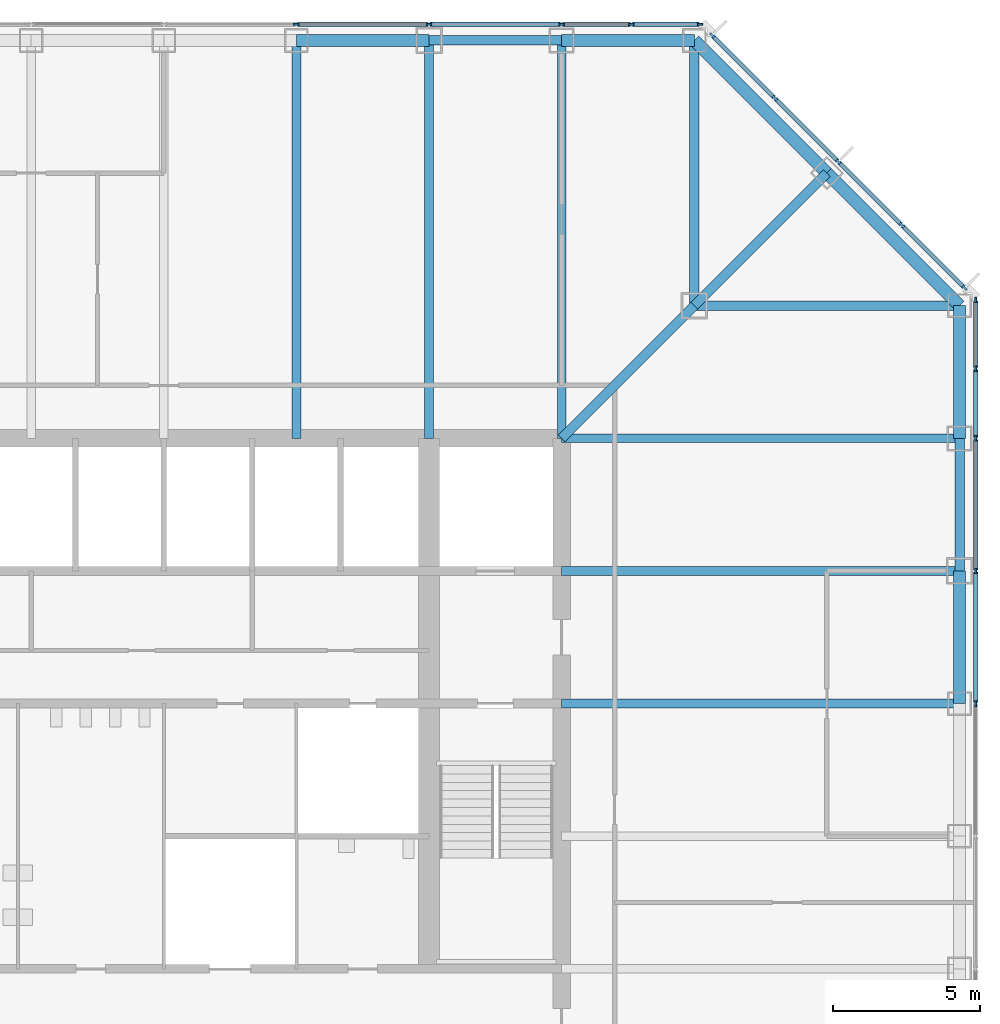
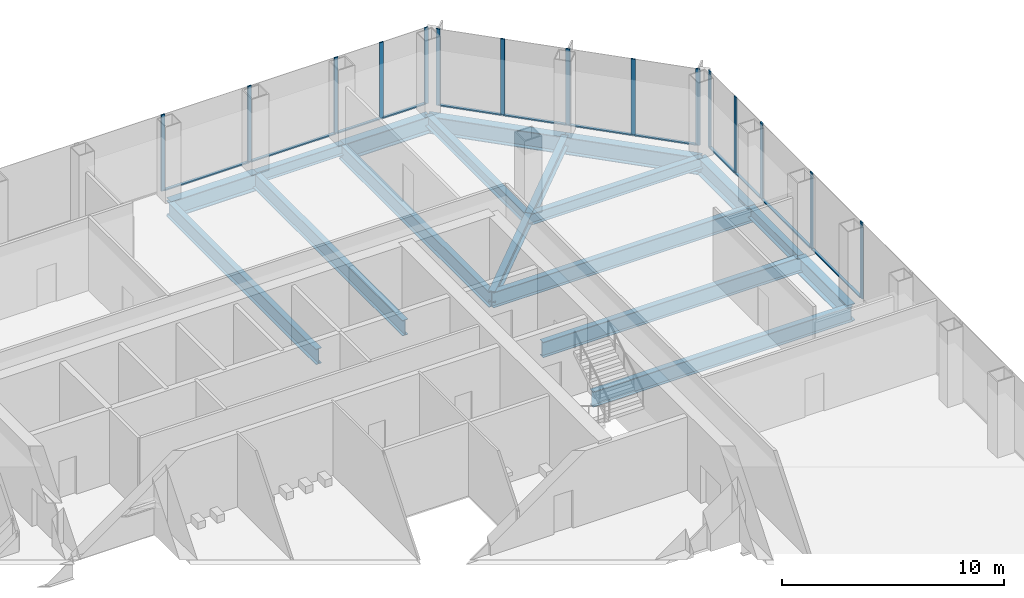
# One storey, part 6 of 13: 27 members, 18 beams, 3 elements without a shape of their own.
"""IFC4 building model written with IfcOpenShell, lengths in metres."""

import ifcopenshell
import ifcopenshell.guid

model = None  # the IFC model being written
_history = None  # IfcOwnerHistory: only IFC2X3 demands one
_inside = {}  # id of a spatial element -> (the spatial element, [elements in it])
_under = {}  # id of a project, library or spatial element -> (it, [spatial elements below it])
_declared = {}  # id of a project -> (the project, [libraries it declares])
_typed = {}  # id of a type object -> (the type object, [elements of that type])
_made_of = {}  # id of a material, layer set ... -> (it, [elements and type objects made of it])


def new_model(schema):
    """Start an empty IFC model of exactly this schema.

    Asked for "IFC4X3", IfcOpenShell would pick the latest addendum, in which some entities
    have other attributes; the version numbers below select the first issue.
    IFC2X3 requires an IfcOwnerHistory on every rooted entity: one is made here for all.
    """
    global model, _history
    if schema == "IFC4X3":
        model = ifcopenshell.file(schema_version=(4, 3, 0, 0))
    else:
        model = ifcopenshell.file(schema=schema)
    _inside.clear()
    _under.clear()
    _declared.clear()
    _typed.clear()
    _made_of.clear()
    _history = None
    if model.schema == "IFC2X3":
        org = make("IfcOrganization", Name="unknown")
        user = make(
            "IfcPersonAndOrganization",
            ThePerson=make("IfcPerson", FamilyName="unknown"),
            TheOrganization=org,
        )
        app = make(
            "IfcApplication",
            ApplicationDeveloper=org,
            Version="unknown",
            ApplicationFullName="unknown",
            ApplicationIdentifier="unknown",
        )
        _history = make(
            "IfcOwnerHistory",
            OwningUser=user,
            OwningApplication=app,
            ChangeAction="ADDED",
            CreationDate=0,
        )
    return model


def make(cls, **values):
    """One entity of the class cls with the attributes given. An attribute that is None is left unset."""
    return model.create_entity(
        cls, **{name: value for name, value in values.items() if value is not None}
    )


def rooted(cls, **values):
    """An entity with a GlobalId (a new one), such as an element, a storey or a relation."""
    return make(cls, GlobalId=ifcopenshell.guid.new(), OwnerHistory=_history, **values)


def si_unit(unit_type, name, prefix=None):
    """IfcSIUnit, for example si_unit("LENGTHUNIT", "METRE", prefix="MILLI")."""
    return make("IfcSIUnit", UnitType=unit_type, Prefix=prefix, Name=name)


def assignment(units):
    """IfcUnitAssignment: the units of a project."""
    return None if units is None else make("IfcUnitAssignment", Units=units)


def point(xyz):
    """IfcCartesianPoint."""
    return None if xyz is None else make("IfcCartesianPoint", Coordinates=xyz)


def direction(xyz):
    """IfcDirection."""
    return None if xyz is None else make("IfcDirection", DirectionRatios=xyz)


def frame(location, z_axis=None, x_axis=None):
    """IfcAxis2Placement3D, a coordinate frame: its origin and axes. An axis left out is left unset."""
    return make(
        "IfcAxis2Placement3D",
        Location=point(location),
        Axis=direction(z_axis),
        RefDirection=direction(x_axis),
    )


def frame_2d(location, x_axis=None):
    """IfcAxis2Placement2D, a coordinate frame in the plane: its origin and x axis."""
    return make(
        "IfcAxis2Placement2D", Location=point(location), RefDirection=direction(x_axis)
    )


def origin():
    """The frame at (0, 0, 0) with its axes left unset."""
    return frame((0.0, 0.0, 0.0))


def origin_2d():
    """The frame at (0, 0) in the plane with its x axis left unset."""
    return frame_2d((0.0, 0.0))


def place(relative_to, where):
    """IfcLocalPlacement: puts the frame where relative to a parent placement (None: the world)."""
    return make(
        "IfcLocalPlacement", PlacementRelTo=relative_to, RelativePlacement=where
    )


def context(
    kind, dimensions, precision=None, world=None, true_north=None, identifier=None
):
    """IfcGeometricRepresentationContext, for example the 3D "Model" context."""
    return make(
        "IfcGeometricRepresentationContext",
        ContextIdentifier=identifier,
        ContextType=kind,
        CoordinateSpaceDimension=dimensions,
        Precision=precision,
        WorldCoordinateSystem=world,
        TrueNorth=true_north,
    )


def subcontext(parent, identifier, kind, view, scale=None):
    """IfcGeometricRepresentationSubContext, for example "Body" below "Model"."""
    return make(
        "IfcGeometricRepresentationSubContext",
        ContextIdentifier=identifier,
        ContextType=kind,
        ParentContext=parent,
        TargetScale=scale,
        TargetView=view,
    )


def project(units=None, contexts=None):
    """IfcProject with its units and contexts."""
    return rooted(
        "IfcProject",
        Name="project",
        RepresentationContexts=contexts,
        UnitsInContext=assignment(units),
    )


def spatial(cls, under=None, at=None, **own):
    """A site, building, storey or space (cls), placed at a placement, below another one or the project."""
    s = rooted(cls, ObjectPlacement=at, **own)
    if under is not None:
        _under.setdefault(under.id(), (under, []))[1].append(s)
    return s


def profile(cls, at=None, kind="AREA", **sizes):
    """A parametric profile (cls). Its sizes go by their IFC names, for example OverallWidth=200.0."""
    return make(cls, ProfileType=kind, Position=at, **sizes)


def rectangle(**sizes):
    """IfcRectangleProfileDef."""
    return profile("IfcRectangleProfileDef", **sizes)


def i_section(**sizes):
    """IfcIShapeProfileDef."""
    return profile("IfcIShapeProfileDef", **sizes)


def extrude(swept, where, along, depth):
    """IfcExtrudedAreaSolid: the profile swept, set in the frame where, extruded along a direction by depth."""
    return make(
        "IfcExtrudedAreaSolid",
        SweptArea=swept,
        Position=where,
        ExtrudedDirection=direction(along),
        Depth=depth,
    )


def shape(context_of_items, identifier, shape_type, items):
    """IfcShapeRepresentation: the items that make up one representation, for example the "Body"."""
    return make(
        "IfcShapeRepresentation",
        ContextOfItems=context_of_items,
        RepresentationIdentifier=identifier,
        RepresentationType=shape_type,
        Items=items,
    )


def material(Name=None, Category=None):
    """IfcMaterial."""
    return make("IfcMaterial", Name=Name, Category=Category)


def material_profile(
    of_material, cross_section, Name=None, Category=None, Priority=None
):
    """IfcMaterialProfile: a cross section and its material."""
    return make(
        "IfcMaterialProfile",
        Name=Name,
        Material=of_material,
        Profile=cross_section,
        Priority=Priority,
        Category=Category,
    )


def profile_set(profiles, Name=None, composite=None):
    """IfcMaterialProfileSet."""
    return make(
        "IfcMaterialProfileSet",
        Name=Name,
        MaterialProfiles=profiles,
        CompositeProfile=composite,
    )


def made_of(thing, what):
    """Note that an element or type object is made of a material, layer set ...; save() writes the relation."""
    if what is not None:
        _made_of.setdefault(what.id(), (what, []))[1].append(thing)
    return thing


def type_object(cls, material=None, **own):
    """A type object (cls), such as IfcWallType, which elements share."""
    return made_of(rooted(cls, **own), material)


def element(
    cls,
    number,
    at=None,
    inside=None,
    cuts=None,
    type_object=None,
    material=None,
    context=None,
    identifier="Body",
    shape_type=None,
    held_by="IfcProductDefinitionShape",
    body=None,
    shapes=None,
    **own,
):
    """One element of the class cls, such as IfcWall. Its Tag is "e" and its number.

    at: its placement. inside: the storey or other place that contains it. cuts: it is an
    opening in that element (IfcRelVoidsElement). A single representation is given by context,
    identifier, shape_type and body (its items); several are given by shapes. held_by: the class
    of the entity that holds the representations. save() writes the other relations.
    """
    e = rooted(cls, Tag="e%d" % number, ObjectPlacement=at, **own)
    if body is not None:
        shapes = [shape(context, identifier, shape_type, body)]
    if shapes is not None:
        e.Representation = make(held_by, Representations=shapes)
    if inside is not None:
        _inside.setdefault(inside.id(), (inside, []))[1].append(e)
    if cuts is not None:
        rooted(
            "IfcRelVoidsElement", RelatingBuildingElement=cuts, RelatedOpeningElement=e
        )
    if type_object is not None:
        _typed.setdefault(type_object.id(), (type_object, []))[1].append(e)
    return made_of(e, material)


def aggregate(whole, parts):
    """IfcRelAggregates: a whole, such as a stair, and the parts it consists of."""
    return rooted("IfcRelAggregates", RelatingObject=whole, RelatedObjects=parts)


def save(model, path):
    """Write the relations noted so far, then the file.

    IfcRelAggregates (storeys below a building ...), IfcRelContainedInSpatialStructure (elements
    in a storey), IfcRelDefinesByType, IfcRelAssociatesMaterial and IfcRelDeclares: one each for
    every whole, place, type object, material and project.
    """
    for whole, parts in _under.values():
        aggregate(whole, parts)
    for where, things in _inside.values():
        rooted(
            "IfcRelContainedInSpatialStructure",
            RelatedElements=things,
            RelatingStructure=where,
        )
    for kind, things in _typed.values():
        rooted("IfcRelDefinesByType", RelatedObjects=things, RelatingType=kind)
    for what, things in _made_of.values():
        rooted("IfcRelAssociatesMaterial", RelatedObjects=things, RelatingMaterial=what)
    for by, libraries in _declared.values():
        rooted("IfcRelDeclares", RelatingContext=by, RelatedDefinitions=libraries)
    model.write(path)


model = new_model("IFC4")

# Units and contexts
model_context = context("Model", 3, precision=1e-05, world=origin(), true_north=direction((0.0, 1.0)))
body_context = subcontext(model_context, "Body", "Model", "MODEL_VIEW")
ifc_project = project(units=[si_unit("LENGTHUNIT", "METRE"), si_unit("AREAUNIT", "SQUARE_METRE"), si_unit("VOLUMEUNIT", "CUBIC_METRE"), si_unit("PLANEANGLEUNIT", "RADIAN"), si_unit("MASSUNIT", "GRAM", prefix="KILO")], contexts=[model_context])

# Site, building, storey
site_placement = place(None, origin())
site = spatial("IfcSite", under=ifc_project, at=site_placement, CompositionType="ELEMENT")
building_placement = place(site_placement, origin())
building = spatial("IfcBuilding", under=site, at=building_placement, Name="Corais Broadcast Tower", CompositionType="ELEMENT")
storey_placement = place(building_placement, frame((0.0, 0.0, 96.199951171875)))
storey = spatial("IfcBuildingStorey", under=building, at=storey_placement, Name="L21", CompositionType="ELEMENT", Elevation=96.199951171875)

# Beams
ifc_material_1 = material(Name="Steel ASTM A572 Grade 50", Category="steel")
ifc_material_profile_1 = material_profile(ifc_material_1, i_section(OverallWidth=0.323974609375, OverallDepth=0.611083984375, WebThickness=0.0126953125, FlangeThickness=0.01904296875, at=origin_2d()), Name="W610x155")
ifc_profile_set_1 = profile_set([ifc_material_profile_1], Name="Steel ASTM A572 Grade 50")
beam_type_1 = type_object("IfcBeamType", Name="Chamfer tie W610x155", PredefinedType="BEAM", material=ifc_profile_set_1)
beam_1_placement = place(storey_placement, frame((49.5, 49.5, -0.46533203125), z_axis=(-0.707106781187, -0.707106781187, 0.0), x_axis=(0.707106781187, -0.707106781187, 0.0)))
element("IfcBeam", 1, at=beam_1_placement, inside=storey, type_object=beam_type_1, Name="B5 M/14 to L/13", PredefinedType="BEAM", context=body_context, shape_type="SweptSolid", body=[
    extrude(i_section(OverallWidth=0.323974609375, OverallDepth=0.611083984375, WebThickness=0.0126953125, FlangeThickness=0.01904296875, at=origin_2d()), origin(), (0.0, 0.0, 1.0), 6.364013671875),
])
ifc_material_2 = material(Name="Steel ASTM A572 Grade 50", Category="steel")
ifc_material_profile_2 = material_profile(ifc_material_2, i_section(OverallWidth=0.323974609375, OverallDepth=0.611083984375, WebThickness=0.0126953125, FlangeThickness=0.01904296875, at=origin_2d()), Name="W610x155")
ifc_profile_set_2 = profile_set([ifc_material_profile_2], Name="Steel ASTM A572 Grade 50")
beam_type_2 = type_object("IfcBeamType", Name="Corner diagonal W610x155", PredefinedType="BEAM", material=ifc_profile_set_2)
beam_2_placement = place(storey_placement, frame((45.0, 45.0, -0.46533203125), z_axis=(-0.707106781187, -0.707106781187, 0.0), x_axis=(0.707106781187, -0.707106781187, 0.0)))
element("IfcBeam", 2, at=beam_2_placement, inside=storey, type_object=beam_type_2, Name="B6 L/13 to K/12", PredefinedType="BEAM", context=body_context, shape_type="SweptSolid", body=[
    extrude(i_section(OverallWidth=0.323974609375, OverallDepth=0.611083984375, WebThickness=0.0126953125, FlangeThickness=0.01904296875, at=origin_2d()), origin(), (0.0, 0.0, 1.0), 6.364013671875),
])
ifc_material_3 = material(Name="Steel ASTM A572 Grade 50", Category="steel")
ifc_material_profile_3 = material_profile(ifc_material_3, i_section(OverallWidth=0.323974609375, OverallDepth=0.611083984375, WebThickness=0.0126953125, FlangeThickness=0.01904296875, at=origin_2d()), Name="W610x155")
ifc_profile_set_3 = profile_set([ifc_material_profile_3], Name="Steel ASTM A572 Grade 50")
beam_type_3 = type_object("IfcBeamType", Name="Corner girder W610x155", PredefinedType="BEAM", material=ifc_profile_set_3)
for number, where, z_axis, x_axis, name in (
    (3, (45.0, 54.0, -0.46533203125), (0.0, -1.0, 0.0), (1.0, 0.0, 0.0), "B4 N/13 to L/13"),
    (4, (54.0, 45.0, -0.46533203125), (-1.0, 0.0, 0.0), (0.0, -1.0, 0.0), "B4 L/15 to L/13"),
):
    element("IfcBeam", number, at=place(storey_placement, frame(where, z_axis=z_axis, x_axis=x_axis)), inside=storey, type_object=beam_type_3, Name=name, PredefinedType="BEAM", context=body_context, shape_type="SweptSolid", body=[
        extrude(i_section(OverallWidth=0.323974609375, OverallDepth=0.611083984375, WebThickness=0.0126953125, FlangeThickness=0.01904296875, at=origin_2d()), origin(), (0.0, 0.0, 1.0), 9.0),
    ])
ifc_material_4 = material(Name="Steel ASTM A572 Grade 50", Category="steel")
ifc_material_profile_4 = material_profile(ifc_material_4, i_section(OverallWidth=0.2939453125, OverallDepth=0.85107421875, WebThickness=0.01611328125, FlangeThickness=0.02685546875, at=origin_2d()), Name="W840x226")
ifc_profile_set_4 = profile_set([ifc_material_profile_4], Name="Steel ASTM A572 Grade 50")
beam_type_4 = type_object("IfcBeamType", Name="Floor beam W840x226", PredefinedType="BEAM", material=ifc_profile_set_4)
for number, where, z_axis, x_axis, name in (
    (5, (31.5, 54.0, -0.58544921875), (0.0, -1.0, 0.0), (1.0, 0.0, 0.0), "B1 N/10 to K/10"),
    (6, (36.0, 54.0, -0.58544921875), (0.0, -1.0, 0.0), (1.0, 0.0, 0.0), "B1 N/11 to K/11"),
    (7, (40.5, 54.0, -0.58544921875), (0.0, -1.0, 0.0), (1.0, 0.0, 0.0), "B1 N/12 to K/12"),
    (8, (54.0, 31.5, -0.58544921875), (-1.0, 0.0, 0.0), (0.0, -1.0, 0.0), "B1 H/15 to H/12"),
    (9, (54.0, 36.0, -0.58544921875), (-1.0, 0.0, 0.0), (0.0, -1.0, 0.0), "B1 J/15 to J/12"),
    (10, (54.0, 40.5, -0.58544921875), (-1.0, 0.0, 0.0), (0.0, -1.0, 0.0), "B1 K/15 to K/12"),
):
    element("IfcBeam", number, at=place(storey_placement, frame(where, z_axis=z_axis, x_axis=x_axis)), inside=storey, type_object=beam_type_4, Name=name, PredefinedType="BEAM", context=body_context, shape_type="SweptSolid", body=[
        extrude(i_section(OverallWidth=0.2939453125, OverallDepth=0.85107421875, WebThickness=0.01611328125, FlangeThickness=0.02685546875, at=origin_2d()), origin(), (0.0, 0.0, 1.0), 13.5),
    ])

# Curtain wall, members
ifc_material_5 = material(Name="Aluminium and glass", Category="aluminium")
curtain_wall_type = type_object("IfcCurtainWallType", Name="Unitised fritted curtain wall CW1", PredefinedType="NOTDEFINED", material=ifc_material_5)
curtain_wall_1_placement = place(storey_placement, origin())
curtain_wall_1 = element("IfcCurtainWall", 11, at=curtain_wall_1_placement, inside=storey, type_object=curtain_wall_type, Name="CW1 curtain wall L21 4", PredefinedType="NOTDEFINED")
ifc_material_6 = material(Name="Aluminium 6063-T6", Category="aluminium")
ifc_material_profile_5 = material_profile(ifc_material_6, rectangle(XDim=0.06494140625, YDim=0.199951171875, at=origin_2d()), Name="Mullion CW1 65x200")
ifc_profile_set_5 = profile_set([ifc_material_profile_5], Name="Aluminium 6063-T6")
member_type_1 = type_object("IfcMemberType", Name="Mullion CW1 65x200", PredefinedType="MULLION", material=ifc_profile_set_5)
member_1_placement = place(storey_placement, frame((31.5, 54.550048828125, 0.0), z_axis=(0.0, 0.0, 1.0), x_axis=(0.0, 1.0, 0.0)))
member_1 = element("IfcMember", 12, at=member_1_placement, type_object=member_type_1, Name="CW1 mullion 7", PredefinedType="MULLION", context=body_context, shape_type="SweptSolid", body=[
    extrude(rectangle(XDim=0.06494140625, YDim=0.199951171875, at=origin_2d()), origin(), (0.0, 0.0, 1.0), 4.199951171875),
])
member_2_placement = place(storey_placement, frame((36.0, 54.550048828125, 0.0), z_axis=(0.0, 0.0, 1.0), x_axis=(0.0, 1.0, 0.0)))
member_2 = element("IfcMember", 13, at=member_2_placement, type_object=member_type_1, Name="CW1 mullion 8", PredefinedType="MULLION", context=body_context, shape_type="SweptSolid", body=[
    extrude(rectangle(XDim=0.06494140625, YDim=0.199951171875, at=origin_2d()), origin(), (0.0, 0.0, 1.0), 4.199951171875),
])
member_3_placement = place(storey_placement, frame((40.5, 54.550048828125, 0.0), z_axis=(0.0, 0.0, 1.0), x_axis=(0.0, 1.0, 0.0)))
member_3 = element("IfcMember", 14, at=member_3_placement, type_object=member_type_1, Name="CW1 mullion 9", PredefinedType="MULLION", context=body_context, shape_type="SweptSolid", body=[
    extrude(rectangle(XDim=0.06494140625, YDim=0.199951171875, at=origin_2d()), origin(), (0.0, 0.0, 1.0), 4.199951171875),
])
member_4_placement = place(storey_placement, frame((42.864013671875, 54.550048828125, 0.0), z_axis=(0.0, 0.0, 1.0), x_axis=(0.0, 1.0, 0.0)))
member_4 = element("IfcMember", 15, at=member_4_placement, type_object=member_type_1, Name="CW1 mullion 10", PredefinedType="MULLION", context=body_context, shape_type="SweptSolid", body=[
    extrude(rectangle(XDim=0.06494140625, YDim=0.199951171875, at=origin_2d()), origin(), (0.0, 0.0, 1.0), 4.199951171875),
])
member_5_placement = place(storey_placement, frame((45.1953125, 54.550048828125, 0.0), z_axis=(0.0, 0.0, 1.0), x_axis=(0.0, 1.0, 0.0)))
member_5 = element("IfcMember", 16, at=member_5_placement, type_object=member_type_1, Name="CW1 mullion 11", PredefinedType="MULLION", context=body_context, shape_type="SweptSolid", body=[
    extrude(rectangle(XDim=0.06494140625, YDim=0.199951171875, at=origin_2d()), origin(), (0.0, 0.0, 1.0), 4.199951171875),
])

curtain_wall_2_placement = place(storey_placement, origin())
curtain_wall_2 = element("IfcCurtainWall", 17, at=curtain_wall_2_placement, inside=storey, type_object=curtain_wall_type, Name="CW1 curtain wall L21 5", PredefinedType="NOTDEFINED")
member_6_placement = place(storey_placement, frame((45.6044921875, 54.17333984375, 0.0), z_axis=(0.0, 0.0, 1.0), x_axis=(0.707106781187, 0.707106781187, 0.0)))
member_6 = element("IfcMember", 18, at=member_6_placement, type_object=member_type_1, Name="CW1 mullion 1", PredefinedType="MULLION", context=body_context, shape_type="SweptSolid", body=[
    extrude(rectangle(XDim=0.06494140625, YDim=0.199951171875, at=origin_2d()), origin(), (0.0, 0.0, 1.0), 4.199951171875),
])
member_7_placement = place(storey_placement, frame((47.735107421875, 52.042724609375, 0.0), z_axis=(0.0, 0.0, 1.0), x_axis=(0.707106781187, 0.707106781187, 0.0)))
member_7 = element("IfcMember", 19, at=member_7_placement, type_object=member_type_1, Name="CW1 mullion 2", PredefinedType="MULLION", context=body_context, shape_type="SweptSolid", body=[
    extrude(rectangle(XDim=0.06494140625, YDim=0.199951171875, at=origin_2d()), origin(), (0.0, 0.0, 1.0), 4.199951171875),
])
member_8_placement = place(storey_placement, frame((49.888916015625, 49.888916015625, 0.0), z_axis=(0.0, 0.0, 1.0), x_axis=(0.707106781187, 0.707106781187, 0.0)))
member_8 = element("IfcMember", 20, at=member_8_placement, type_object=member_type_1, Name="CW1 mullion 3", PredefinedType="MULLION", context=body_context, shape_type="SweptSolid", body=[
    extrude(rectangle(XDim=0.06494140625, YDim=0.199951171875, at=origin_2d()), origin(), (0.0, 0.0, 1.0), 4.199951171875),
])
member_9_placement = place(storey_placement, frame((52.042724609375, 47.735107421875, 0.0), z_axis=(0.0, 0.0, 1.0), x_axis=(0.707106781187, 0.707106781187, 0.0)))
member_9 = element("IfcMember", 21, at=member_9_placement, type_object=member_type_1, Name="CW1 mullion 4", PredefinedType="MULLION", context=body_context, shape_type="SweptSolid", body=[
    extrude(rectangle(XDim=0.06494140625, YDim=0.199951171875, at=origin_2d()), origin(), (0.0, 0.0, 1.0), 4.199951171875),
])
member_10_placement = place(storey_placement, frame((54.17333984375, 45.6044921875, 0.0), z_axis=(0.0, 0.0, 1.0), x_axis=(0.707106781187, 0.707106781187, 0.0)))
member_10 = element("IfcMember", 22, at=member_10_placement, type_object=member_type_1, Name="CW1 mullion 5", PredefinedType="MULLION", context=body_context, shape_type="SweptSolid", body=[
    extrude(rectangle(XDim=0.06494140625, YDim=0.199951171875, at=origin_2d()), origin(), (0.0, 0.0, 1.0), 4.199951171875),
])

curtain_wall_3_placement = place(storey_placement, origin())
curtain_wall_3 = element("IfcCurtainWall", 23, at=curtain_wall_3_placement, inside=storey, type_object=curtain_wall_type, Name="CW1 curtain wall L21 6", PredefinedType="NOTDEFINED")
member_11_placement = place(storey_placement, frame((54.550048828125, 45.1953125, 0.0), z_axis=(0.0, 0.0, 1.0), x_axis=(1.0, 0.0, 0.0)))
member_11 = element("IfcMember", 24, at=member_11_placement, type_object=member_type_1, Name="CW1 mullion 1", PredefinedType="MULLION", context=body_context, shape_type="SweptSolid", body=[
    extrude(rectangle(XDim=0.06494140625, YDim=0.199951171875, at=origin_2d()), origin(), (0.0, 0.0, 1.0), 4.199951171875),
])
member_12_placement = place(storey_placement, frame((54.550048828125, 42.864013671875, 0.0), z_axis=(0.0, 0.0, 1.0), x_axis=(1.0, 0.0, 0.0)))
member_12 = element("IfcMember", 25, at=member_12_placement, type_object=member_type_1, Name="CW1 mullion 2", PredefinedType="MULLION", context=body_context, shape_type="SweptSolid", body=[
    extrude(rectangle(XDim=0.06494140625, YDim=0.199951171875, at=origin_2d()), origin(), (0.0, 0.0, 1.0), 4.199951171875),
])
member_13_placement = place(storey_placement, frame((54.550048828125, 40.5, 0.0), z_axis=(0.0, 0.0, 1.0), x_axis=(1.0, 0.0, 0.0)))
member_13 = element("IfcMember", 26, at=member_13_placement, type_object=member_type_1, Name="CW1 mullion 3", PredefinedType="MULLION", context=body_context, shape_type="SweptSolid", body=[
    extrude(rectangle(XDim=0.06494140625, YDim=0.199951171875, at=origin_2d()), origin(), (0.0, 0.0, 1.0), 4.199951171875),
])
member_14_placement = place(storey_placement, frame((54.550048828125, 36.0, 0.0), z_axis=(0.0, 0.0, 1.0), x_axis=(1.0, 0.0, 0.0)))
member_14 = element("IfcMember", 27, at=member_14_placement, type_object=member_type_1, Name="CW1 mullion 4", PredefinedType="MULLION", context=body_context, shape_type="SweptSolid", body=[
    extrude(rectangle(XDim=0.06494140625, YDim=0.199951171875, at=origin_2d()), origin(), (0.0, 0.0, 1.0), 4.199951171875),
])
member_15_placement = place(storey_placement, frame((54.550048828125, 31.5, 0.0), z_axis=(0.0, 0.0, 1.0), x_axis=(1.0, 0.0, 0.0)))
member_15 = element("IfcMember", 28, at=member_15_placement, type_object=member_type_1, Name="CW1 mullion 5", PredefinedType="MULLION", context=body_context, shape_type="SweptSolid", body=[
    extrude(rectangle(XDim=0.06494140625, YDim=0.199951171875, at=origin_2d()), origin(), (0.0, 0.0, 1.0), 4.199951171875),
])

# Beams
ifc_material_7 = material(Name="Steel ASTM A572 Grade 50", Category="steel")
ifc_material_profile_6 = material_profile(ifc_material_7, i_section(OverallWidth=0.323974609375, OverallDepth=0.611083984375, WebThickness=0.0126953125, FlangeThickness=0.01904296875, at=origin_2d()), Name="W610x155")
ifc_profile_set_6 = profile_set([ifc_material_profile_6], Name="Steel ASTM A572 Grade 50")
beam_type_5 = type_object("IfcBeamType", Name="Pinned spandrel W610x155", PredefinedType="BEAM", material=ifc_profile_set_6)
for number, where, z_axis, x_axis, name in (
    (29, (40.5, 54.0, -0.46533203125), (-1.0, 0.0, 0.0), (0.0, -1.0, 0.0), "SB6 N/12 to N/11"),
    (30, (54.0, 36.0, -0.46533203125), (0.0, 1.0, 0.0), (-1.0, 0.0, 0.0), "SB6 J/15 to K/15"),
):
    element("IfcBeam", number, at=place(storey_placement, frame(where, z_axis=z_axis, x_axis=x_axis)), inside=storey, type_object=beam_type_5, Name=name, PredefinedType="BEAM", context=body_context, shape_type="SweptSolid", body=[
        extrude(i_section(OverallWidth=0.323974609375, OverallDepth=0.611083984375, WebThickness=0.0126953125, FlangeThickness=0.01904296875, at=origin_2d()), origin(), (0.0, 0.0, 1.0), 4.5),
    ])
ifc_material_8 = material(Name="Steel ASTM A572 Grade 50", Category="steel")
ifc_material_profile_7 = material_profile(ifc_material_8, i_section(OverallWidth=0.4189453125, OverallDepth=0.94189453125, WebThickness=0.022216796875, FlangeThickness=0.03662109375, at=origin_2d()), Name="W920x345")
ifc_profile_set_7 = profile_set([ifc_material_profile_7], Name="Steel ASTM A572 Grade 50")
beam_type_6 = type_object("IfcBeamType", Name="Transfer spandrel W920x345", PredefinedType="BEAM", material=ifc_profile_set_7)
for number, where, z_axis, x_axis, name in (
    (31, (36.0, 54.0, -0.630859375), (-1.0, 0.0, 0.0), (0.0, -1.0, 0.0), "SB4 N/11 to N/10"),
    (32, (45.0, 54.0, -0.630859375), (-1.0, 0.0, 0.0), (0.0, -1.0, 0.0), "SB4 N/13 to N/12"),
):
    element("IfcBeam", number, at=place(storey_placement, frame(where, z_axis=z_axis, x_axis=x_axis)), inside=storey, type_object=beam_type_6, Name=name, PredefinedType="BEAM", context=body_context, shape_type="SweptSolid", body=[
        extrude(i_section(OverallWidth=0.4189453125, OverallDepth=0.94189453125, WebThickness=0.022216796875, FlangeThickness=0.03662109375, at=origin_2d()), origin(), (0.0, 0.0, 1.0), 4.5),
    ])
beam_3_placement = place(storey_placement, frame((49.5, 49.5, -0.630859375), z_axis=(-0.707106781187, 0.707106781187, 0.0), x_axis=(-0.707106781187, -0.707106781187, 0.0)))
element("IfcBeam", 33, at=beam_3_placement, inside=storey, type_object=beam_type_6, Name="SB4 M/14 to N/13", PredefinedType="BEAM", context=body_context, shape_type="SweptSolid", body=[
    extrude(i_section(OverallWidth=0.4189453125, OverallDepth=0.94189453125, WebThickness=0.022216796875, FlangeThickness=0.03662109375, at=origin_2d()), origin(), (0.0, 0.0, 1.0), 6.364013671875),
])
for number, where, z_axis, x_axis, name in (
    (34, (54.0, 31.5, -0.630859375), (0.0, 1.0, 0.0), (-1.0, 0.0, 0.0), "SB4 H/15 to J/15"),
    (35, (54.0, 40.5, -0.630859375), (0.0, 1.0, 0.0), (-1.0, 0.0, 0.0), "SB4 K/15 to L/15"),
):
    element("IfcBeam", number, at=place(storey_placement, frame(where, z_axis=z_axis, x_axis=x_axis)), inside=storey, type_object=beam_type_6, Name=name, PredefinedType="BEAM", context=body_context, shape_type="SweptSolid", body=[
        extrude(i_section(OverallWidth=0.4189453125, OverallDepth=0.94189453125, WebThickness=0.022216796875, FlangeThickness=0.03662109375, at=origin_2d()), origin(), (0.0, 0.0, 1.0), 4.5),
    ])
beam_4_placement = place(storey_placement, frame((54.0, 45.0, -0.630859375), z_axis=(-0.707106781187, 0.707106781187, 0.0), x_axis=(-0.707106781187, -0.707106781187, 0.0)))
element("IfcBeam", 36, at=beam_4_placement, inside=storey, type_object=beam_type_6, Name="SB4 L/15 to M/14", PredefinedType="BEAM", context=body_context, shape_type="SweptSolid", body=[
    extrude(i_section(OverallWidth=0.4189453125, OverallDepth=0.94189453125, WebThickness=0.022216796875, FlangeThickness=0.03662109375, at=origin_2d()), origin(), (0.0, 0.0, 1.0), 6.364013671875),
])

# Member
ifc_material_9 = material(Name="Aluminium 6063-T6", Category="aluminium")
ifc_material_profile_8 = material_profile(ifc_material_9, rectangle(XDim=0.139892578125, YDim=0.06494140625, at=origin_2d()), Name="Transom CW1 65x140")
ifc_profile_set_8 = profile_set([ifc_material_profile_8], Name="Aluminium 6063-T6")
member_type_2 = type_object("IfcMemberType", Name="Transom CW1 65x140", PredefinedType="USERDEFINED", material=ifc_profile_set_8)
member_16_placement = place(storey_placement, frame((31.532470703125, 54.550048828125, 0.032470703125), z_axis=(1.0, 0.0, 0.0), x_axis=(0.0, 1.0, 0.0)))
member_16 = element("IfcMember", 37, at=member_16_placement, type_object=member_type_2, Name="CW1 transom 7.1", ObjectType="TRANSOM", PredefinedType="USERDEFINED", context=body_context, shape_type="SweptSolid", body=[
    extrude(rectangle(XDim=0.139892578125, YDim=0.06494140625, at=origin_2d()), origin(), (0.0, 0.0, 1.0), 4.43505859375),
])

member_17_placement = place(storey_placement, frame((36.032470703125, 54.550048828125, 0.032470703125), z_axis=(1.0, 0.0, 0.0), x_axis=(0.0, 1.0, 0.0)))
member_17 = element("IfcMember", 38, at=member_17_placement, type_object=member_type_2, Name="CW1 transom 8.1", ObjectType="TRANSOM", PredefinedType="USERDEFINED", context=body_context, shape_type="SweptSolid", body=[
    extrude(rectangle(XDim=0.139892578125, YDim=0.06494140625, at=origin_2d()), origin(), (0.0, 0.0, 1.0), 4.43505859375),
])

member_18_placement = place(storey_placement, frame((40.532470703125, 54.550048828125, 0.032470703125), z_axis=(1.0, 0.0, 0.0), x_axis=(0.0, 1.0, 0.0)))
member_18 = element("IfcMember", 39, at=member_18_placement, type_object=member_type_2, Name="CW1 transom 9.1", ObjectType="TRANSOM", PredefinedType="USERDEFINED", context=body_context, shape_type="SweptSolid", body=[
    extrude(rectangle(XDim=0.139892578125, YDim=0.06494140625, at=origin_2d()), origin(), (0.0, 0.0, 1.0), 2.298828125),
])

member_19_placement = place(storey_placement, frame((42.896484375, 54.550048828125, 0.032470703125), z_axis=(1.0, 0.0, 0.0), x_axis=(0.0, 1.0, 0.0)))
member_19 = element("IfcMember", 40, at=member_19_placement, type_object=member_type_2, Name="CW1 transom 10.1", ObjectType="TRANSOM", PredefinedType="USERDEFINED", context=body_context, shape_type="SweptSolid", body=[
    extrude(rectangle(XDim=0.139892578125, YDim=0.06494140625, at=origin_2d()), origin(), (0.0, 0.0, 1.0), 2.266357421875),
])

aggregate(curtain_wall_1, [member_1, member_2, member_3, member_4, member_5, member_16, member_17, member_18, member_19])

member_20_placement = place(storey_placement, frame((45.62744140625, 54.150390625, 0.032470703125), z_axis=(0.707106781187, -0.707106781187, 0.0), x_axis=(0.707106781187, 0.707106781187, 0.0)))
member_20 = element("IfcMember", 41, at=member_20_placement, type_object=member_type_2, Name="CW1 transom 1.1", ObjectType="TRANSOM", PredefinedType="USERDEFINED", context=body_context, shape_type="SweptSolid", body=[
    extrude(rectangle(XDim=0.139892578125, YDim=0.06494140625, at=origin_2d()), origin(), (0.0, 0.0, 1.0), 2.9482421875),
])

member_21_placement = place(storey_placement, frame((47.758056640625, 52.019775390625, 0.032470703125), z_axis=(0.707106781187, -0.707106781187, 0.0), x_axis=(0.707106781187, 0.707106781187, 0.0)))
member_21 = element("IfcMember", 42, at=member_21_placement, type_object=member_type_2, Name="CW1 transom 2.1", ObjectType="TRANSOM", PredefinedType="USERDEFINED", context=body_context, shape_type="SweptSolid", body=[
    extrude(rectangle(XDim=0.139892578125, YDim=0.06494140625, at=origin_2d()), origin(), (0.0, 0.0, 1.0), 2.98095703125),
])

member_22_placement = place(storey_placement, frame((49.911865234375, 49.865966796875, 0.032470703125), z_axis=(0.707106781187, -0.707106781187, 0.0), x_axis=(0.707106781187, 0.707106781187, 0.0)))
member_22 = element("IfcMember", 43, at=member_22_placement, type_object=member_type_2, Name="CW1 transom 3.1", ObjectType="TRANSOM", PredefinedType="USERDEFINED", context=body_context, shape_type="SweptSolid", body=[
    extrude(rectangle(XDim=0.139892578125, YDim=0.06494140625, at=origin_2d()), origin(), (0.0, 0.0, 1.0), 2.98095703125),
])

member_23_placement = place(storey_placement, frame((52.065673828125, 47.712158203125, 0.032470703125), z_axis=(0.707106781187, -0.707106781187, 0.0), x_axis=(0.707106781187, 0.707106781187, 0.0)))
member_23 = element("IfcMember", 44, at=member_23_placement, type_object=member_type_2, Name="CW1 transom 4.1", ObjectType="TRANSOM", PredefinedType="USERDEFINED", context=body_context, shape_type="SweptSolid", body=[
    extrude(rectangle(XDim=0.139892578125, YDim=0.06494140625, at=origin_2d()), origin(), (0.0, 0.0, 1.0), 2.9482421875),
])

aggregate(curtain_wall_2, [member_6, member_7, member_8, member_9, member_10, member_20, member_21, member_22, member_23])

member_24_placement = place(storey_placement, frame((54.550048828125, 45.162841796875, 0.032470703125), z_axis=(0.0, -1.0, 0.0), x_axis=(1.0, 0.0, 0.0)))
member_24 = element("IfcMember", 45, at=member_24_placement, type_object=member_type_2, Name="CW1 transom 1.1", ObjectType="TRANSOM", PredefinedType="USERDEFINED", context=body_context, shape_type="SweptSolid", body=[
    extrude(rectangle(XDim=0.139892578125, YDim=0.06494140625, at=origin_2d()), origin(), (0.0, 0.0, 1.0), 2.266357421875),
])

member_25_placement = place(storey_placement, frame((54.550048828125, 42.831298828125, 0.032470703125), z_axis=(0.0, -1.0, 0.0), x_axis=(1.0, 0.0, 0.0)))
member_25 = element("IfcMember", 46, at=member_25_placement, type_object=member_type_2, Name="CW1 transom 2.1", ObjectType="TRANSOM", PredefinedType="USERDEFINED", context=body_context, shape_type="SweptSolid", body=[
    extrude(rectangle(XDim=0.139892578125, YDim=0.06494140625, at=origin_2d()), origin(), (0.0, 0.0, 1.0), 2.298828125),
])

member_26_placement = place(storey_placement, frame((54.550048828125, 40.467529296875, 0.032470703125), z_axis=(0.0, -1.0, 0.0), x_axis=(1.0, 0.0, 0.0)))
member_26 = element("IfcMember", 47, at=member_26_placement, type_object=member_type_2, Name="CW1 transom 3.1", ObjectType="TRANSOM", PredefinedType="USERDEFINED", context=body_context, shape_type="SweptSolid", body=[
    extrude(rectangle(XDim=0.139892578125, YDim=0.06494140625, at=origin_2d()), origin(), (0.0, 0.0, 1.0), 4.43505859375),
])

member_27_placement = place(storey_placement, frame((54.550048828125, 35.967529296875, 0.032470703125), z_axis=(0.0, -1.0, 0.0), x_axis=(1.0, 0.0, 0.0)))
member_27 = element("IfcMember", 48, at=member_27_placement, type_object=member_type_2, Name="CW1 transom 4.1", ObjectType="TRANSOM", PredefinedType="USERDEFINED", context=body_context, shape_type="SweptSolid", body=[
    extrude(rectangle(XDim=0.139892578125, YDim=0.06494140625, at=origin_2d()), origin(), (0.0, 0.0, 1.0), 4.43505859375),
])

aggregate(curtain_wall_3, [member_11, member_12, member_13, member_14, member_15, member_24, member_25, member_26, member_27])

save(model, "model.ifc")
